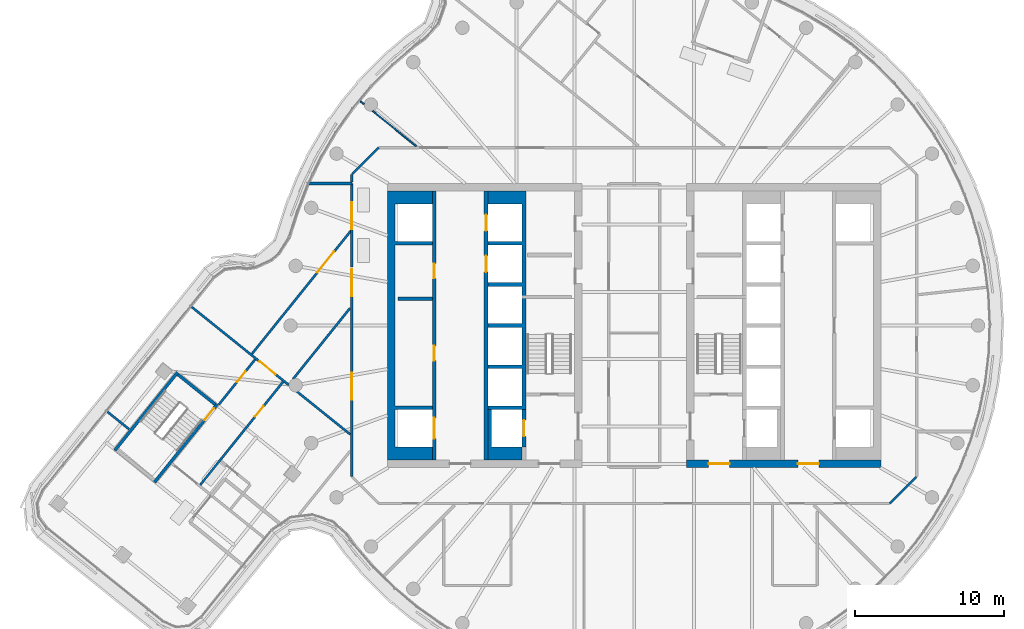
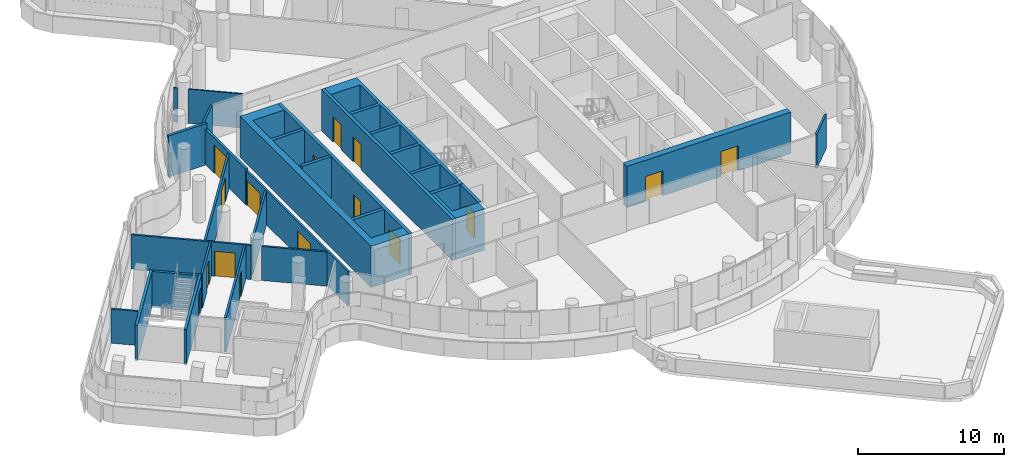
# One storey, part 16 of 25: 26 walls, 16 doors, 16 openings.
"""IFC4 building model written with IfcOpenShell, lengths in metres."""

import ifcopenshell
import ifcopenshell.guid

model = None  # the IFC model being written
_history = None  # IfcOwnerHistory: only IFC2X3 demands one
_inside = {}  # id of a spatial element -> (the spatial element, [elements in it])
_under = {}  # id of a project, library or spatial element -> (it, [spatial elements below it])
_declared = {}  # id of a project -> (the project, [libraries it declares])
_typed = {}  # id of a type object -> (the type object, [elements of that type])
_made_of = {}  # id of a material, layer set ... -> (it, [elements and type objects made of it])


def new_model(schema):
    """Start an empty IFC model of exactly this schema.

    Asked for "IFC4X3", IfcOpenShell would pick the latest addendum, in which some entities
    have other attributes; the version numbers below select the first issue.
    IFC2X3 requires an IfcOwnerHistory on every rooted entity: one is made here for all.
    """
    global model, _history
    if schema == "IFC4X3":
        model = ifcopenshell.file(schema_version=(4, 3, 0, 0))
    else:
        model = ifcopenshell.file(schema=schema)
    _inside.clear()
    _under.clear()
    _declared.clear()
    _typed.clear()
    _made_of.clear()
    _history = None
    if model.schema == "IFC2X3":
        org = make("IfcOrganization", Name="unknown")
        user = make(
            "IfcPersonAndOrganization",
            ThePerson=make("IfcPerson", FamilyName="unknown"),
            TheOrganization=org,
        )
        app = make(
            "IfcApplication",
            ApplicationDeveloper=org,
            Version="unknown",
            ApplicationFullName="unknown",
            ApplicationIdentifier="unknown",
        )
        _history = make(
            "IfcOwnerHistory",
            OwningUser=user,
            OwningApplication=app,
            ChangeAction="ADDED",
            CreationDate=0,
        )
    return model


def make(cls, **values):
    """One entity of the class cls with the attributes given. An attribute that is None is left unset."""
    return model.create_entity(
        cls, **{name: value for name, value in values.items() if value is not None}
    )


def rooted(cls, **values):
    """An entity with a GlobalId (a new one), such as an element, a storey or a relation."""
    return make(cls, GlobalId=ifcopenshell.guid.new(), OwnerHistory=_history, **values)


def si_unit(unit_type, name, prefix=None):
    """IfcSIUnit, for example si_unit("LENGTHUNIT", "METRE", prefix="MILLI")."""
    return make("IfcSIUnit", UnitType=unit_type, Prefix=prefix, Name=name)


def assignment(units):
    """IfcUnitAssignment: the units of a project."""
    return None if units is None else make("IfcUnitAssignment", Units=units)


def point(xyz):
    """IfcCartesianPoint."""
    return None if xyz is None else make("IfcCartesianPoint", Coordinates=xyz)


def direction(xyz):
    """IfcDirection."""
    return None if xyz is None else make("IfcDirection", DirectionRatios=xyz)


def frame(location, z_axis=None, x_axis=None):
    """IfcAxis2Placement3D, a coordinate frame: its origin and axes. An axis left out is left unset."""
    return make(
        "IfcAxis2Placement3D",
        Location=point(location),
        Axis=direction(z_axis),
        RefDirection=direction(x_axis),
    )


def frame_2d(location, x_axis=None):
    """IfcAxis2Placement2D, a coordinate frame in the plane: its origin and x axis."""
    return make(
        "IfcAxis2Placement2D", Location=point(location), RefDirection=direction(x_axis)
    )


def origin():
    """The frame at (0, 0, 0) with its axes left unset."""
    return frame((0.0, 0.0, 0.0))


def place(relative_to, where):
    """IfcLocalPlacement: puts the frame where relative to a parent placement (None: the world)."""
    return make(
        "IfcLocalPlacement", PlacementRelTo=relative_to, RelativePlacement=where
    )


def context(
    kind, dimensions, precision=None, world=None, true_north=None, identifier=None
):
    """IfcGeometricRepresentationContext, for example the 3D "Model" context."""
    return make(
        "IfcGeometricRepresentationContext",
        ContextIdentifier=identifier,
        ContextType=kind,
        CoordinateSpaceDimension=dimensions,
        Precision=precision,
        WorldCoordinateSystem=world,
        TrueNorth=true_north,
    )


def subcontext(parent, identifier, kind, view, scale=None):
    """IfcGeometricRepresentationSubContext, for example "Body" below "Model"."""
    return make(
        "IfcGeometricRepresentationSubContext",
        ContextIdentifier=identifier,
        ContextType=kind,
        ParentContext=parent,
        TargetScale=scale,
        TargetView=view,
    )


def project(units=None, contexts=None):
    """IfcProject with its units and contexts."""
    return rooted(
        "IfcProject",
        Name="project",
        RepresentationContexts=contexts,
        UnitsInContext=assignment(units),
    )


def spatial(cls, under=None, at=None, **own):
    """A site, building, storey or space (cls), placed at a placement, below another one or the project."""
    s = rooted(cls, ObjectPlacement=at, **own)
    if under is not None:
        _under.setdefault(under.id(), (under, []))[1].append(s)
    return s


def polyline(points):
    """IfcPolyline through the points."""
    return make("IfcPolyline", Points=[point(p) for p in points])


def profile(cls, at=None, kind="AREA", **sizes):
    """A parametric profile (cls). Its sizes go by their IFC names, for example OverallWidth=200.0."""
    return make(cls, ProfileType=kind, Position=at, **sizes)


def rectangle(**sizes):
    """IfcRectangleProfileDef."""
    return profile("IfcRectangleProfileDef", **sizes)


def outline(outer, holes=None, kind="AREA"):
    """IfcArbitraryClosedProfileDef: a profile drawn as a closed curve; with holes, ...WithVoids."""
    if holes is None:
        return make("IfcArbitraryClosedProfileDef", ProfileType=kind, OuterCurve=outer)
    return make(
        "IfcArbitraryProfileDefWithVoids",
        ProfileType=kind,
        OuterCurve=outer,
        InnerCurves=holes,
    )


def extrude(swept, where, along, depth):
    """IfcExtrudedAreaSolid: the profile swept, set in the frame where, extruded along a direction by depth."""
    return make(
        "IfcExtrudedAreaSolid",
        SweptArea=swept,
        Position=where,
        ExtrudedDirection=direction(along),
        Depth=depth,
    )


def shape(context_of_items, identifier, shape_type, items):
    """IfcShapeRepresentation: the items that make up one representation, for example the "Body"."""
    return make(
        "IfcShapeRepresentation",
        ContextOfItems=context_of_items,
        RepresentationIdentifier=identifier,
        RepresentationType=shape_type,
        Items=items,
    )


def material(Name=None, Category=None):
    """IfcMaterial."""
    return make("IfcMaterial", Name=Name, Category=Category)


def layer(
    of_material, thickness, ventilated=None, Name=None, Category=None, Priority=None
):
    """IfcMaterialLayer: one layer of a wall or slab, of a material (None: an air gap)."""
    return make(
        "IfcMaterialLayer",
        Material=of_material,
        LayerThickness=thickness,
        IsVentilated=ventilated,
        Name=Name,
        Category=Category,
        Priority=Priority,
    )


def layer_set(layers, Name=None):
    """IfcMaterialLayerSet."""
    return make("IfcMaterialLayerSet", MaterialLayers=layers, LayerSetName=Name)


def made_of(thing, what):
    """Note that an element or type object is made of a material, layer set ...; save() writes the relation."""
    if what is not None:
        _made_of.setdefault(what.id(), (what, []))[1].append(thing)
    return thing


def type_object(cls, material=None, **own):
    """A type object (cls), such as IfcWallType, which elements share."""
    return made_of(rooted(cls, **own), material)


def element(
    cls,
    number,
    at=None,
    inside=None,
    cuts=None,
    type_object=None,
    material=None,
    context=None,
    identifier="Body",
    shape_type=None,
    held_by="IfcProductDefinitionShape",
    body=None,
    shapes=None,
    **own,
):
    """One element of the class cls, such as IfcWall. Its Tag is "e" and its number.

    at: its placement. inside: the storey or other place that contains it. cuts: it is an
    opening in that element (IfcRelVoidsElement). A single representation is given by context,
    identifier, shape_type and body (its items); several are given by shapes. held_by: the class
    of the entity that holds the representations. save() writes the other relations.
    """
    e = rooted(cls, Tag="e%d" % number, ObjectPlacement=at, **own)
    if body is not None:
        shapes = [shape(context, identifier, shape_type, body)]
    if shapes is not None:
        e.Representation = make(held_by, Representations=shapes)
    if inside is not None:
        _inside.setdefault(inside.id(), (inside, []))[1].append(e)
    if cuts is not None:
        rooted(
            "IfcRelVoidsElement", RelatingBuildingElement=cuts, RelatedOpeningElement=e
        )
    if type_object is not None:
        _typed.setdefault(type_object.id(), (type_object, []))[1].append(e)
    return made_of(e, material)


def fill(opening, filler):
    """IfcRelFillsElement: the door or window that sits in an opening."""
    return rooted(
        "IfcRelFillsElement",
        RelatingOpeningElement=opening,
        RelatedBuildingElement=filler,
    )


def aggregate(whole, parts):
    """IfcRelAggregates: a whole, such as a stair, and the parts it consists of."""
    return rooted("IfcRelAggregates", RelatingObject=whole, RelatedObjects=parts)


def save(model, path):
    """Write the relations noted so far, then the file.

    IfcRelAggregates (storeys below a building ...), IfcRelContainedInSpatialStructure (elements
    in a storey), IfcRelDefinesByType, IfcRelAssociatesMaterial and IfcRelDeclares: one each for
    every whole, place, type object, material and project.
    """
    for whole, parts in _under.values():
        aggregate(whole, parts)
    for where, things in _inside.values():
        rooted(
            "IfcRelContainedInSpatialStructure",
            RelatedElements=things,
            RelatingStructure=where,
        )
    for kind, things in _typed.values():
        rooted("IfcRelDefinesByType", RelatedObjects=things, RelatingType=kind)
    for what, things in _made_of.values():
        rooted("IfcRelAssociatesMaterial", RelatedObjects=things, RelatingMaterial=what)
    for by, libraries in _declared.values():
        rooted("IfcRelDeclares", RelatingContext=by, RelatedDefinitions=libraries)
    model.write(path)


model = new_model("IFC4")

# Units and contexts
model_context = context("Model", 3, precision=1e-05, world=origin(), true_north=direction((0.0, 1.0)))
body_context = subcontext(model_context, "Body", "Model", "MODEL_VIEW")
ifc_project = project(units=[si_unit("LENGTHUNIT", "METRE"), si_unit("AREAUNIT", "SQUARE_METRE"), si_unit("VOLUMEUNIT", "CUBIC_METRE"), si_unit("PLANEANGLEUNIT", "RADIAN"), si_unit("MASSUNIT", "GRAM", prefix="KILO")], contexts=[model_context])

# Site, building, storey
site_placement = place(None, origin())
site = spatial("IfcSite", under=ifc_project, at=site_placement, CompositionType="ELEMENT")
building_placement = place(site_placement, origin())
building = spatial("IfcBuilding", under=site, at=building_placement, Name="Tamarind Cross Interchange Tower", CompositionType="ELEMENT")
storey_placement = place(building_placement, frame((0.0, 0.0, 219.89990234375)))
storey = spatial("IfcBuildingStorey", under=building, at=storey_placement, Name="L55", CompositionType="ELEMENT", Elevation=219.89990234375)

# Wall, opening, door
ifc_material_1 = material(Name="Concrete C40", Category="concrete")
ifc_layer_1 = layer(ifc_material_1, 0.199951171875)
ifc_layer_set_1 = layer_set([ifc_layer_1], Name="Concrete C40")
wall_type_1 = type_object("IfcWallType", Name="Balcony and garden door wall", PredefinedType="SOLIDWALL", material=ifc_layer_set_1)
wall_1_placement = place(storey_placement, frame((-18.89990234375, 9.5, 0.0), z_axis=(0.0, 0.0, 1.0), x_axis=(0.0, -1.0, 0.0)))
wall_1 = element("IfcWall", 1, at=wall_1_placement, inside=storey, type_object=wall_type_1, Name="EXW-L55-WG-L55-NW", PredefinedType="SOLIDWALL", context=body_context, shape_type="SweptSolid", body=[
    extrude(rectangle(XDim=5.5791015625, YDim=0.199951171875, at=frame_2d((2.78955078125, 0.0))), origin(), (0.0, 0.0, 1.0), 2.964111328125),
])
opening_1_placement = place(wall_1_placement, frame((1.25, 0.0, 0.0)))
opening_1 = element("IfcOpeningElement", 2, at=opening_1_placement, cuts=wall_1, Name="Opening D6", PredefinedType="OPENING", context=body_context, shape_type="SweptSolid", body=[
    extrude(rectangle(XDim=1.800048828125, YDim=2.39990234375, at=frame_2d((0.89990234375, 1.199951171875))), frame((0.0, 0.10986328125, 0.0), z_axis=(0.0, -1.0, 0.0), x_axis=(1.0, 0.0, 0.0)), (0.0, 0.0, 1.0), 0.219970703125),
])
ifc_material_2 = material(Name="Aluminium and toughened glass, fire-resisting", Category="aluminium")
door_type_1 = type_object("IfcDoorType", Name="Roof garden door, fire-resisting", OperationType="DOUBLE_DOOR_SINGLE_SWING", PredefinedType="DOOR", material=ifc_material_2)
door_1_placement = place(opening_1_placement, origin())
door_1 = element("IfcDoor", 3, at=door_1_placement, inside=storey, type_object=door_type_1, Name="DOR-L55-WG-L55-NW", OperationType="SINGLE_SWING_LEFT", OverallHeight=2.39990234375, OverallWidth=1.800048828125, PredefinedType="DOOR", context=body_context, shape_type="SweptSolid", body=[
    extrude(rectangle(XDim=1.800048828125, YDim=2.39990234375, at=frame_2d((0.89990234375, 1.199951171875))), frame((0.0, 0.02490234375, 0.0), z_axis=(0.0, -1.0, 0.0), x_axis=(1.0, 0.0, 0.0)), (0.0, 0.0, 1.0), 0.050048828125),
])
fill(opening_1, door_1)

# Walls
wall_2_placement = place(storey_placement, frame((-18.89990234375, 9.5, 0.0), z_axis=(0.0, 0.0, 1.0), x_axis=(-1.0, 0.0, 0.0)))
element("IfcWall", 4, at=wall_2_placement, inside=storey, type_object=wall_type_1, Name="EXW-L55-WG-L55-NW-R0", PredefinedType="SOLIDWALL", context=body_context, shape_type="SweptSolid", body=[
    extrude(rectangle(XDim=3.033447265625, YDim=0.199951171875, at=frame_2d((1.5166015625, 0.0))), origin(), (0.0, 0.0, 1.0), 3.460205078125),
])
ifc_material_3 = material(Name="Concrete C50", Category="concrete")
ifc_layer_2 = layer(ifc_material_3, 0.5)
ifc_layer_set_2 = layer_set([ifc_layer_2], Name="Concrete C50")
wall_type_2 = type_object("IfcWallType", Name="Core wall 500 mm Concrete C50", PredefinedType="SHEAR", material=ifc_layer_set_2)
wall_3_placement = place(storey_placement, origin())
element("IfcWall", 5, at=wall_3_placement, inside=storey, type_object=wall_type_2, Name="Core wall CWL-L55-W-A", PredefinedType="SHEAR", context=body_context, shape_type="SweptSolid", body=[
    extrude(outline(polyline([(-13.5, -8.125), (-16.0, -8.125), (-16.0, -5.625), (-13.5, -5.625), (-13.5, -5.375), (-16.0, -5.375), (-16.0, 5.375), (-13.5, 5.375), (-13.5, 5.625), (-16.0, 5.625), (-16.0, 8.125), (-13.5, 8.125), (-13.5, 9.0), (-16.0, 9.0), (-16.5, 9.0), (-16.5, -9.0), (-16.0, -9.0), (-13.5, -9.0), (-13.5, -8.125)])), origin(), (0.0, 0.0, 1.0), 3.460205078125),
])

# Wall, openings, doors
wall_4_placement = place(storey_placement, frame((16.5, -9.25, 0.0), z_axis=(0.0, 0.0, 1.0), x_axis=(-1.0, 0.0, 0.0)))
wall_4 = element("IfcWall", 6, at=wall_4_placement, inside=storey, type_object=wall_type_2, Name="Core wall CWL-L55-E-S", PredefinedType="SHEAR", context=body_context, shape_type="SweptSolid", body=[
    extrude(rectangle(XDim=13.0, YDim=0.5, at=frame_2d((6.5, 0.0))), origin(), (0.0, 0.0, 1.0), 3.460205078125),
])
opening_2_placement = place(wall_4_placement, frame((4.14990234375, 0.0, 0.0)))
opening_2 = element("IfcOpeningElement", 7, at=opening_2_placement, cuts=wall_4, Name="Opening DCE1", PredefinedType="OPENING", context=body_context, shape_type="SweptSolid", body=[
    extrude(rectangle(XDim=1.39990234375, YDim=2.10009765625, at=frame_2d((0.699951171875, 1.050048828125))), frame((0.0, 0.260009765625, 0.0), z_axis=(0.0, -1.0, 0.0), x_axis=(1.0, 0.0, 0.0)), (0.0, 0.0, 1.0), 0.52001953125),
])
opening_3_placement = place(wall_4_placement, frame((10.125, 0.0, 0.0)))
opening_3 = element("IfcOpeningElement", 8, at=opening_3_placement, cuts=wall_4, Name="Opening DCEF", PredefinedType="OPENING", context=body_context, shape_type="SweptSolid", body=[
    extrude(rectangle(XDim=1.39990234375, YDim=2.10009765625, at=frame_2d((0.699951171875, 1.050048828125))), frame((0.0, 0.260009765625, 0.0), z_axis=(0.0, -1.0, 0.0), x_axis=(1.0, 0.0, 0.0)), (0.0, 0.0, 1.0), 0.52001953125),
])
ifc_material_4 = material(Name="Steel, fire-resisting", Category="steel")
door_type_2 = type_object("IfcDoorType", Name="Core fire door 1400 x 2100 FD90", OperationType="SINGLE_SWING_LEFT", PredefinedType="DOOR", material=ifc_material_4)
door_2_placement = place(opening_2_placement, origin())
door_2 = element("IfcDoor", 9, at=door_2_placement, inside=storey, type_object=door_type_2, Name="L55 lift lobby door", OperationType="SINGLE_SWING_LEFT", OverallHeight=2.10009765625, OverallWidth=1.39990234375, PredefinedType="DOOR", context=body_context, shape_type="SweptSolid", body=[
    extrude(rectangle(XDim=1.39990234375, YDim=2.10009765625, at=frame_2d((0.699951171875, 1.050048828125))), frame((0.0, 0.02490234375, 0.0), z_axis=(0.0, -1.0, 0.0), x_axis=(1.0, 0.0, 0.0)), (0.0, 0.0, 1.0), 0.050048828125),
])
fill(opening_2, door_2)
door_3_placement = place(opening_3_placement, origin())
door_3 = element("IfcDoor", 10, at=door_3_placement, inside=storey, type_object=door_type_2, Name="L55 firefighting lobby end door", OperationType="SINGLE_SWING_LEFT", OverallHeight=2.10009765625, OverallWidth=1.39990234375, PredefinedType="DOOR", context=body_context, shape_type="SweptSolid", body=[
    extrude(rectangle(XDim=1.39990234375, YDim=2.10009765625, at=frame_2d((0.699951171875, 1.050048828125))), frame((0.0, 0.02490234375, 0.0), z_axis=(0.0, -1.0, 0.0), x_axis=(1.0, 0.0, 0.0)), (0.0, 0.0, 1.0), 0.050048828125),
])
fill(opening_3, door_3)

# Walls
ifc_layer_3 = layer(ifc_material_3, 0.25)
ifc_layer_set_3 = layer_set([ifc_layer_3], Name="Concrete C50")
wall_type_3 = type_object("IfcWallType", Name="Core web wall 250 mm Concrete C50", PredefinedType="SHEAR", material=ifc_layer_set_3)
wall_5_placement = place(storey_placement, origin())
element("IfcWall", 11, at=wall_5_placement, inside=storey, type_object=wall_type_3, Name="Core wall CWL-L55-W-BN", PredefinedType="SHEAR", context=body_context, shape_type="SweptSolid", body=[
    extrude(outline(polyline([(-9.800048828125, -5.375), (-9.800048828125, -5.625), (-7.5, -5.625), (-7.25, -5.625), (-7.25, 9.0), (-7.5, 9.0), (-9.800048828125, 9.0), (-9.800048828125, 8.125), (-7.5, 8.125), (-7.5, 5.625), (-9.800048828125, 5.625), (-9.800048828125, 5.375), (-7.5, 5.375), (-7.5, 2.875), (-9.800048828125, 2.875), (-9.800048828125, 2.625), (-7.5, 2.625), (-7.5, 0.125), (-9.800048828125, 0.125), (-9.800048828125, -0.125), (-7.5, -0.125), (-7.5, -2.625), (-9.800048828125, -2.625), (-9.800048828125, -2.875), (-7.5, -2.875), (-7.5, -5.375), (-9.800048828125, -5.375)])), origin(), (0.0, 0.0, 1.0), 3.460205078125),
])
wall_6_placement = place(storey_placement, origin())
element("IfcWall", 12, at=wall_6_placement, inside=storey, type_object=wall_type_3, Name="Core wall CWL-L55-W-BS", PredefinedType="SHEAR", context=body_context, shape_type="SweptSolid", body=[
    extrude(outline(polyline([(-7.5, -8.125), (-9.550048828125, -8.125), (-9.550048828125, -5.625), (-9.800048828125, -5.625), (-9.800048828125, -8.125), (-9.800048828125, -9.0), (-7.5, -9.0), (-7.5, -8.125)])), origin(), (0.0, 0.0, 1.0), 3.460205078125),
])

# Wall, openings, doors
wall_7_placement = place(storey_placement, frame((-13.375, -9.0, 0.0), z_axis=(0.0, 0.0, 1.0), x_axis=(0.0, 1.0, 0.0)))
wall_7 = element("IfcWall", 13, at=wall_7_placement, inside=storey, type_object=wall_type_3, Name="Core wall CWL-L55-W-LA", PredefinedType="SHEAR", context=body_context, shape_type="SweptSolid", body=[
    extrude(rectangle(XDim=18.0, YDim=0.25, at=frame_2d((9.0, 0.0))), origin(), (0.0, 0.0, 1.0), 3.460205078125),
])
opening_4_placement = place(wall_7_placement, frame((1.425048828125, 0.0, 0.0)))
opening_4 = element("IfcOpeningElement", 14, at=opening_4_placement, cuts=wall_7, Name="Opening LD1L55", PredefinedType="OPENING", context=body_context, shape_type="SweptSolid", body=[
    extrude(rectangle(XDim=1.39990234375, YDim=2.10009765625, at=frame_2d((0.699951171875, 1.050048828125))), frame((0.0, 0.135009765625, 0.0), z_axis=(0.0, -1.0, 0.0), x_axis=(1.0, 0.0, 0.0)), (0.0, 0.0, 1.0), 0.27001953125),
])
opening_5_placement = place(wall_7_placement, frame((6.64599609375, 0.0, 0.0)))
opening_5 = element("IfcOpeningElement", 15, at=opening_5_placement, cuts=wall_7, Name="Opening DCW9", PredefinedType="OPENING", context=body_context, shape_type="SweptSolid", body=[
    extrude(rectangle(XDim=1.0, YDim=2.10009765625, at=frame_2d((0.5, 1.050048828125))), frame((0.0, 0.135009765625, 0.0), z_axis=(0.0, -1.0, 0.0), x_axis=(1.0, 0.0, 0.0)), (0.0, 0.0, 1.0), 0.27001953125),
])
opening_6_placement = place(wall_7_placement, frame((12.14599609375, 0.0, 0.0)))
opening_6 = element("IfcOpeningElement", 16, at=opening_6_placement, cuts=wall_7, Name="Opening DCW10", PredefinedType="OPENING", context=body_context, shape_type="SweptSolid", body=[
    extrude(rectangle(XDim=1.0, YDim=2.10009765625, at=frame_2d((0.5, 1.050048828125))), frame((0.0, 0.135009765625, 0.0), z_axis=(0.0, -1.0, 0.0), x_axis=(1.0, 0.0, 0.0)), (0.0, 0.0, 1.0), 0.27001953125),
])
door_type_3 = type_object("IfcDoorType", Name="Core fire door 1000 x 2100 FD90", OperationType="SINGLE_SWING_LEFT", PredefinedType="DOOR", material=ifc_material_4)
door_4_placement = place(opening_5_placement, origin())
door_4 = element("IfcDoor", 17, at=door_4_placement, inside=storey, type_object=door_type_3, Name="L55 Guest laundry door", OperationType="SINGLE_SWING_LEFT", OverallHeight=2.10009765625, OverallWidth=1.0, PredefinedType="DOOR", context=body_context, shape_type="SweptSolid", body=[
    extrude(rectangle(XDim=1.0, YDim=2.10009765625, at=frame_2d((0.5, 1.050048828125))), frame((0.0, 0.02490234375, 0.0), z_axis=(0.0, -1.0, 0.0), x_axis=(1.0, 0.0, 0.0)), (0.0, 0.0, 1.0), 0.050048828125),
])
fill(opening_5, door_4)
door_5_placement = place(opening_6_placement, origin())
door_5 = element("IfcDoor", 18, at=door_5_placement, inside=storey, type_object=door_type_3, Name="L55 Housekeeping pantry door", OperationType="SINGLE_SWING_LEFT", OverallHeight=2.10009765625, OverallWidth=1.0, PredefinedType="DOOR", context=body_context, shape_type="SweptSolid", body=[
    extrude(rectangle(XDim=1.0, YDim=2.10009765625, at=frame_2d((0.5, 1.050048828125))), frame((0.0, 0.02490234375, 0.0), z_axis=(0.0, -1.0, 0.0), x_axis=(1.0, 0.0, 0.0)), (0.0, 0.0, 1.0), 0.050048828125),
])
fill(opening_6, door_5)
ifc_material_5 = material(Name="Stainless steel panel", Category="steel")
door_type_4 = type_object("IfcDoorType", Name="Lift landing door 1400 x 2100 E 120", OperationType="SLIDING_TO_LEFT", PredefinedType="DOOR", material=ifc_material_5)
door_6_placement = place(opening_4_placement, origin())
door_6 = element("IfcDoor", 19, at=door_6_placement, inside=storey, type_object=door_type_4, Name="L55 landing door LF1", OperationType="SLIDING_TO_LEFT", OverallHeight=2.10009765625, OverallWidth=1.39990234375, PredefinedType="DOOR", context=body_context, shape_type="SweptSolid", body=[
    extrude(rectangle(XDim=1.39990234375, YDim=2.10009765625, at=frame_2d((0.699951171875, 1.050048828125))), frame((0.0, 0.02490234375, 0.0), z_axis=(0.0, -1.0, 0.0), x_axis=(1.0, 0.0, 0.0)), (0.0, 0.0, 1.0), 0.050048828125),
])
fill(opening_4, door_6)

wall_8_placement = place(storey_placement, frame((-9.925048828125, -9.0, 0.0), z_axis=(0.0, 0.0, 1.0), x_axis=(0.0, 1.0, 0.0)))
wall_8 = element("IfcWall", 20, at=wall_8_placement, inside=storey, type_object=wall_type_3, Name="Core wall CWL-L55-W-LB", PredefinedType="SHEAR", context=body_context, shape_type="SweptSolid", body=[
    extrude(rectangle(XDim=18.0, YDim=0.25, at=frame_2d((9.0, 0.0))), origin(), (0.0, 0.0, 1.0), 3.460205078125),
])
opening_7_placement = place(wall_8_placement, frame((12.574951171875, 0.0, 0.0)))
opening_7 = element("IfcOpeningElement", 21, at=opening_7_placement, cuts=wall_8, Name="Opening LD11L55", PredefinedType="OPENING", context=body_context, shape_type="SweptSolid", body=[
    extrude(rectangle(XDim=1.10009765625, YDim=2.10009765625, at=frame_2d((0.550048828125, 1.050048828125))), frame((0.0, 0.135009765625, 0.0), z_axis=(0.0, -1.0, 0.0), x_axis=(1.0, 0.0, 0.0)), (0.0, 0.0, 1.0), 0.27001953125),
])
opening_8_placement = place(wall_8_placement, frame((15.324951171875, 0.0, 0.0)))
opening_8 = element("IfcOpeningElement", 22, at=opening_8_placement, cuts=wall_8, Name="Opening LD12L55", PredefinedType="OPENING", context=body_context, shape_type="SweptSolid", body=[
    extrude(rectangle(XDim=1.10009765625, YDim=2.10009765625, at=frame_2d((0.550048828125, 1.050048828125))), frame((0.0, 0.135009765625, 0.0), z_axis=(0.0, -1.0, 0.0), x_axis=(1.0, 0.0, 0.0)), (0.0, 0.0, 1.0), 0.27001953125),
])
door_type_5 = type_object("IfcDoorType", Name="Lift landing door 1100 x 2100 E 120", OperationType="SLIDING_TO_LEFT", PredefinedType="DOOR", material=ifc_material_5)
door_7_placement = place(opening_7_placement, origin())
door_7 = element("IfcDoor", 23, at=door_7_placement, inside=storey, type_object=door_type_5, Name="L55 landing door LF11", OperationType="SLIDING_TO_LEFT", OverallHeight=2.10009765625, OverallWidth=1.10009765625, PredefinedType="DOOR", context=body_context, shape_type="SweptSolid", body=[
    extrude(rectangle(XDim=1.10009765625, YDim=2.10009765625, at=frame_2d((0.550048828125, 1.050048828125))), frame((0.0, 0.02490234375, 0.0), z_axis=(0.0, -1.0, 0.0), x_axis=(1.0, 0.0, 0.0)), (0.0, 0.0, 1.0), 0.050048828125),
])
fill(opening_7, door_7)
door_8_placement = place(opening_8_placement, origin())
door_8 = element("IfcDoor", 24, at=door_8_placement, inside=storey, type_object=door_type_5, Name="L55 landing door LF12", OperationType="SLIDING_TO_LEFT", OverallHeight=2.10009765625, OverallWidth=1.10009765625, PredefinedType="DOOR", context=body_context, shape_type="SweptSolid", body=[
    extrude(rectangle(XDim=1.10009765625, YDim=2.10009765625, at=frame_2d((0.550048828125, 1.050048828125))), frame((0.0, 0.02490234375, 0.0), z_axis=(0.0, -1.0, 0.0), x_axis=(1.0, 0.0, 0.0)), (0.0, 0.0, 1.0), 0.050048828125),
])
fill(opening_8, door_8)

# Wall, opening, door
wall_9_placement = place(storey_placement, frame((-7.375, -8.125, 0.0), z_axis=(0.0, 0.0, 1.0), x_axis=(0.0, 1.0, 0.0)))
wall_9 = element("IfcWall", 25, at=wall_9_placement, inside=storey, type_object=wall_type_3, Name="Core wall CWL-L55-W-FF", PredefinedType="SHEAR", context=body_context, shape_type="SweptSolid", body=[
    extrude(rectangle(XDim=2.5, YDim=0.25, at=frame_2d((1.25, 0.0))), origin(), (0.0, 0.0, 1.0), 3.460205078125),
])
opening_9_placement = place(wall_9_placement, frame((0.699951171875, 0.0, 0.0)))
opening_9 = element("IfcOpeningElement", 26, at=opening_9_placement, cuts=wall_9, Name="Opening LD7L55", PredefinedType="OPENING", context=body_context, shape_type="SweptSolid", body=[
    extrude(rectangle(XDim=1.10009765625, YDim=2.10009765625, at=frame_2d((0.550048828125, 1.050048828125))), frame((0.0, 0.135009765625, 0.0), z_axis=(0.0, -1.0, 0.0), x_axis=(1.0, 0.0, 0.0)), (0.0, 0.0, 1.0), 0.27001953125),
])
door_9_placement = place(opening_9_placement, origin())
door_9 = element("IfcDoor", 27, at=door_9_placement, inside=storey, type_object=door_type_5, Name="L55 landing door LF7", OperationType="SLIDING_TO_LEFT", OverallHeight=2.10009765625, OverallWidth=1.10009765625, PredefinedType="DOOR", context=body_context, shape_type="SweptSolid", body=[
    extrude(rectangle(XDim=1.10009765625, YDim=2.10009765625, at=frame_2d((0.550048828125, 1.050048828125))), frame((0.0, 0.02490234375, 0.0), z_axis=(0.0, -1.0, 0.0), x_axis=(1.0, 0.0, 0.0)), (0.0, 0.0, 1.0), 0.050048828125),
])
fill(opening_9, door_9)

# Walls
ifc_material_6 = material(Name="Gypsum board partition on steel studs", Category="steel")
ifc_layer_4 = layer(ifc_material_6, 0.10009765625)
ifc_layer_set_4 = layer_set([ifc_layer_4], Name="Gypsum board partition on steel studs")
wall_type_4 = type_object("IfcWallType", Name="Partition 100 mm EI 120", PredefinedType="PARTITIONING", material=ifc_layer_set_4)
wall_10_placement = place(storey_placement, frame((-17.509033203125, 14.353515625, 0.0), z_axis=(0.0, 0.0, 1.0), x_axis=(0.779411679893, -0.626512117398, 0.0)))
element("IfcWall", 28, at=wall_10_placement, inside=storey, type_object=wall_type_4, Name="Partition L55-010", PredefinedType="PARTITIONING", context=body_context, shape_type="SweptSolid", body=[
    extrude(rectangle(XDim=3.76513671875, YDim=0.10009765625, at=frame_2d((1.882568359375, 0.0))), origin(), (0.0, 0.0, 1.0), 2.864013671875),
])
ifc_layer_5 = layer(ifc_material_6, 0.10009765625)
ifc_layer_set_5 = layer_set([ifc_layer_5], Name="Gypsum board partition on steel studs")
wall_type_5 = type_object("IfcWallType", Name="Partition 100 mm EI 90", PredefinedType="PARTITIONING", material=ifc_layer_set_5)
wall_11_placement = place(storey_placement, frame((-18.31640625, 15.00244140625, 0.0), z_axis=(0.0, 0.0, 1.0), x_axis=(0.779570290479, -0.626314746914, 0.0)))
element("IfcWall", 29, at=wall_11_placement, inside=storey, type_object=wall_type_5, Name="Partition L55-009", PredefinedType="PARTITIONING", context=body_context, shape_type="SweptSolid", body=[
    extrude(rectangle(XDim=0.312255859375, YDim=0.10009765625, at=frame_2d((0.15625, 0.0))), origin(), (0.0, 0.0, 1.0), 2.864013671875),
])
ifc_layer_6 = layer(ifc_material_6, 0.14990234375)
ifc_layer_set_6 = layer_set([ifc_layer_6], Name="Gypsum board partition on steel studs")
wall_type_6 = type_object("IfcWallType", Name="Partition 150 mm EI 120", PredefinedType="PARTITIONING", material=ifc_layer_set_6)
wall_12_placement = place(storey_placement, frame((-35.241943359375, -5.77685546875, 0.0), z_axis=(0.0, 0.0, 1.0), x_axis=(0.779380699449, -0.626550656632, 0.0)))
element("IfcWall", 30, at=wall_12_placement, inside=storey, type_object=wall_type_6, Name="Partition L55-004", PredefinedType="PARTITIONING", context=body_context, shape_type="SweptSolid", body=[
    extrude(rectangle(XDim=1.859375, YDim=0.14990234375, at=frame_2d((0.9296875, 0.0))), origin(), (0.0, 0.0, 1.0), 2.864013671875),
])

# Wall, opening, door
wall_13_placement = place(storey_placement, frame((-29.60205078125, 1.236328125, 0.0), z_axis=(0.0, 0.0, 1.0), x_axis=(0.779408775424, -0.626515730681, 0.0)))
wall_13 = element("IfcWall", 31, at=wall_13_placement, inside=storey, type_object=wall_type_6, Name="Partition L55-006", PredefinedType="PARTITIONING", context=body_context, shape_type="SweptSolid", body=[
    extrude(rectangle(XDim=8.33203125, YDim=0.14990234375, at=frame_2d((4.166015625, 0.0))), origin(), (0.0, 0.0, 1.0), 2.864013671875),
])
opening_10_placement = place(wall_13_placement, frame((5.79931640625, 0.0, 0.0)))
opening_10 = element("IfcOpeningElement", 32, at=opening_10_placement, cuts=wall_13, Name="Opening D02", PredefinedType="OPENING", context=body_context, shape_type="SweptSolid", body=[
    extrude(rectangle(XDim=1.39990234375, YDim=2.10009765625, at=frame_2d((0.699951171875, 1.050048828125))), frame((0.0, 0.0849609375, 0.0), z_axis=(0.0, -1.0, 0.0), x_axis=(1.0, 0.0, 0.0)), (0.0, 0.0, 1.0), 0.169921875),
])
ifc_material_7 = material(Name="Fire-resisting door set")
door_type_6 = type_object("IfcDoorType", Name="Interior door 1400 x 2100 FD60S", OperationType="DOUBLE_DOOR_SINGLE_SWING", PredefinedType="DOOR", material=ifc_material_7)
door_10_placement = place(opening_10_placement, origin())
door_10 = element("IfcDoor", 33, at=door_10_placement, inside=storey, type_object=door_type_6, Name="Door D02", OperationType="DOUBLE_DOOR_SINGLE_SWING", OverallHeight=2.10009765625, OverallWidth=1.39990234375, PredefinedType="DOOR", context=body_context, shape_type="SweptSolid", body=[
    extrude(rectangle(XDim=1.39990234375, YDim=2.10009765625, at=frame_2d((0.699951171875, 1.050048828125))), frame((0.0, 0.02490234375, 0.0), z_axis=(0.0, -1.0, 0.0), x_axis=(1.0, 0.0, 0.0)), (0.0, 0.0, 1.0), 0.050048828125),
])
fill(opening_10, door_10)

# Walls
wall_14_placement = place(storey_placement, frame((-22.55517578125, -4.42822265625, 0.0), z_axis=(0.0, 0.0, 1.0), x_axis=(0.779423896045, -0.626496919604, 0.0)))
element("IfcWall", 34, at=wall_14_placement, inside=storey, type_object=wall_type_6, Name="Partition L55-007", PredefinedType="PARTITIONING", context=body_context, shape_type="SweptSolid", body=[
    extrude(rectangle(XDim=4.556396484375, YDim=0.14990234375, at=frame_2d((2.2783203125, 0.0))), origin(), (0.0, 0.0, 1.0), 2.864013671875),
])
for number, where, z_axis, x_axis, name in (
    (35, (-18.87158203125, 10.12841796875, 0.0), (0.0, 0.0, 1.0), (0.707106781187, 0.707106781187, 0.0), "Partition L55-031"),
    (36, (17.10009765625, -11.89990234375, 0.0), (0.0, 0.0, 1.0), (0.707106781187, 0.707106781187, 0.0), "Partition L55-033"),
):
    element("IfcWall", number, at=place(storey_placement, frame(where, z_axis=z_axis, x_axis=x_axis)), inside=storey, type_object=wall_type_6, Name=name, PredefinedType="PARTITIONING", context=body_context, shape_type="SweptSolid", body=[
        extrude(rectangle(XDim=2.50537109375, YDim=0.14990234375, at=frame_2d((1.252685546875, 0.0))), origin(), (0.0, 0.0, 1.0), 2.864013671875),
    ])

# Wall, opening, door
wall_15_placement = place(storey_placement, frame((-29.035888671875, -10.66455078125, 0.0), z_axis=(0.0, 0.0, 1.0), x_axis=(0.626350653384, 0.779541441493, 0.0)))
wall_15 = element("IfcWall", 37, at=wall_15_placement, inside=storey, type_object=wall_type_6, Name="Partition L55-034", PredefinedType="PARTITIONING", context=body_context, shape_type="SweptSolid", body=[
    extrude(rectangle(XDim=8.84033203125, YDim=0.14990234375, at=frame_2d((4.420166015625, 0.0))), origin(), (0.0, 0.0, 1.0), 2.864013671875),
])
opening_11_placement = place(wall_15_placement, frame((5.8701171875, 0.0, 0.0)))
opening_11 = element("IfcOpeningElement", 38, at=opening_11_placement, cuts=wall_15, Name="Opening D21", PredefinedType="OPENING", context=body_context, shape_type="SweptSolid", body=[
    extrude(rectangle(XDim=0.89990234375, YDim=2.10009765625, at=frame_2d((0.449951171875, 1.050048828125))), frame((0.0, 0.0849609375, 0.0), z_axis=(0.0, -1.0, 0.0), x_axis=(1.0, 0.0, 0.0)), (0.0, 0.0, 1.0), 0.169921875),
])
door_type_7 = type_object("IfcDoorType", Name="Interior door 900 x 2100 FD60S", OperationType="SINGLE_SWING_LEFT", PredefinedType="DOOR", material=ifc_material_7)
door_11_placement = place(opening_11_placement, frame((0.89990234375, 0.0, 0.0), z_axis=(0.0, 0.0, 1.0), x_axis=(-1.0, 0.0, 0.0)))
door_11 = element("IfcDoor", 39, at=door_11_placement, inside=storey, type_object=door_type_7, Name="Door D21", OperationType="SINGLE_SWING_RIGHT", OverallHeight=2.10009765625, OverallWidth=0.89990234375, PredefinedType="DOOR", context=body_context, shape_type="SweptSolid", body=[
    extrude(rectangle(XDim=0.89990234375, YDim=2.10009765625, at=frame_2d((0.449951171875, 1.050048828125))), frame((0.0, 0.02490234375, 0.0), z_axis=(0.0, -1.0, 0.0), x_axis=(1.0, 0.0, 0.0)), (0.0, 0.0, 1.0), 0.050048828125),
])
fill(opening_11, door_11)

wall_16_placement = place(storey_placement, frame((-27.798095703125, -5.29541015625, 0.0), z_axis=(0.0, 0.0, 1.0), x_axis=(0.626664805056, 0.779288920814, 0.0)))
wall_16 = element("IfcWall", 40, at=wall_16_placement, inside=storey, type_object=wall_type_6, Name="Partition L55-035", PredefinedType="PARTITIONING", context=body_context, shape_type="SweptSolid", body=[
    extrude(rectangle(XDim=3.880615234375, YDim=0.14990234375, at=frame_2d((1.9404296875, 0.0))), origin(), (0.0, 0.0, 1.0), 2.864013671875),
])
opening_12_placement = place(wall_16_placement, frame((1.949951171875, 0.0, 0.0)))
opening_12 = element("IfcOpeningElement", 41, at=opening_12_placement, cuts=wall_16, Name="Opening D22", PredefinedType="OPENING", context=body_context, shape_type="SweptSolid", body=[
    extrude(rectangle(XDim=0.89990234375, YDim=2.10009765625, at=frame_2d((0.449951171875, 1.050048828125))), frame((0.0, 0.0849609375, 0.0), z_axis=(0.0, -1.0, 0.0), x_axis=(1.0, 0.0, 0.0)), (0.0, 0.0, 1.0), 0.169921875),
])
door_12_placement = place(opening_12_placement, origin())
door_12 = element("IfcDoor", 42, at=door_12_placement, inside=storey, type_object=door_type_7, Name="Door D22", OperationType="SINGLE_SWING_LEFT", OverallHeight=2.10009765625, OverallWidth=0.89990234375, PredefinedType="DOOR", context=body_context, shape_type="SweptSolid", body=[
    extrude(rectangle(XDim=0.89990234375, YDim=2.10009765625, at=frame_2d((0.449951171875, 1.050048828125))), frame((0.0, 0.02490234375, 0.0), z_axis=(0.0, -1.0, 0.0), x_axis=(1.0, 0.0, 0.0)), (0.0, 0.0, 1.0), 0.050048828125),
])
fill(opening_12, door_12)

wall_17_placement = place(storey_placement, frame((-25.577880859375, -1.896728515625, 0.0), z_axis=(0.0, 0.0, 1.0), x_axis=(0.626651590672, 0.779299546971, 0.0)))
wall_17 = element("IfcWall", 43, at=wall_17_placement, inside=storey, type_object=wall_type_6, Name="Partition L55-037", PredefinedType="PARTITIONING", context=body_context, shape_type="SweptSolid", body=[
    extrude(rectangle(XDim=10.656494140625, YDim=0.14990234375, at=frame_2d((5.328125, 0.0))), origin(), (0.0, 0.0, 1.0), 2.864013671875),
])
opening_13_placement = place(wall_17_placement, frame((6.969970703125, 0.0, 0.0)))
opening_13 = element("IfcOpeningElement", 44, at=opening_13_placement, cuts=wall_17, Name="Opening D23", PredefinedType="OPENING", context=body_context, shape_type="SweptSolid", body=[
    extrude(rectangle(XDim=1.800048828125, YDim=2.10009765625, at=frame_2d((0.89990234375, 1.050048828125))), frame((0.0, 0.0849609375, 0.0), z_axis=(0.0, -1.0, 0.0), x_axis=(1.0, 0.0, 0.0)), (0.0, 0.0, 1.0), 0.169921875),
])
door_type_8 = type_object("IfcDoorType", Name="Interior door 1800 x 2100 FD60S", OperationType="DOUBLE_DOOR_SINGLE_SWING", PredefinedType="DOOR", material=ifc_material_7)
door_13_placement = place(opening_13_placement, origin())
door_13 = element("IfcDoor", 45, at=door_13_placement, inside=storey, type_object=door_type_8, Name="Door D23", OperationType="DOUBLE_DOOR_SINGLE_SWING", OverallHeight=2.10009765625, OverallWidth=1.800048828125, PredefinedType="DOOR", context=body_context, shape_type="SweptSolid", body=[
    extrude(rectangle(XDim=1.800048828125, YDim=2.10009765625, at=frame_2d((0.89990234375, 1.050048828125))), frame((0.0, 0.02490234375, 0.0), z_axis=(0.0, -1.0, 0.0), x_axis=(1.0, 0.0, 0.0)), (0.0, 0.0, 1.0), 0.050048828125),
])
fill(opening_13, door_13)

# Wall
wall_18_placement = place(storey_placement, frame((-22.825927734375, -3.580810546875, 0.0), z_axis=(0.0, 0.0, 1.0), x_axis=(0.626622427276, 0.779322996988, 0.0)))
element("IfcWall", 46, at=wall_18_placement, inside=storey, type_object=wall_type_6, Name="Partition L55-038", PredefinedType="PARTITIONING", context=body_context, shape_type="SweptSolid", body=[
    extrude(rectangle(XDim=6.080322265625, YDim=0.14990234375, at=frame_2d((3.0400390625, 0.0))), origin(), (0.0, 0.0, 1.0), 2.864013671875),
])

# Wall, openings, doors
wall_19_placement = place(storey_placement, frame((-18.89990234375, -10.10009765625, 0.0), z_axis=(0.0, 0.0, 1.0), x_axis=(0.0, 1.0, 0.0)))
wall_19 = element("IfcWall", 47, at=wall_19_placement, inside=storey, type_object=wall_type_6, Name="Partition L55-050", PredefinedType="PARTITIONING", context=body_context, shape_type="SweptSolid", body=[
    extrude(rectangle(XDim=13.921142578125, YDim=0.14990234375, at=frame_2d((6.96044921875, 0.0))), origin(), (0.0, 0.0, 1.0), 2.864013671875),
])
opening_14_placement = place(wall_19_placement, frame((12.071044921875, 0.0, 0.0)))
opening_14 = element("IfcOpeningElement", 48, at=opening_14_placement, cuts=wall_19, Name="Opening D27", PredefinedType="OPENING", context=body_context, shape_type="SweptSolid", body=[
    extrude(rectangle(XDim=1.800048828125, YDim=2.10009765625, at=frame_2d((0.89990234375, 1.050048828125))), frame((0.0, 0.0849609375, 0.0), z_axis=(0.0, -1.0, 0.0), x_axis=(1.0, 0.0, 0.0)), (0.0, 0.0, 1.0), 0.169921875),
])
opening_15_placement = place(wall_19_placement, frame((5.131103515625, 0.0, 0.0)))
opening_15 = element("IfcOpeningElement", 49, at=opening_15_placement, cuts=wall_19, Name="Opening D28", PredefinedType="OPENING", context=body_context, shape_type="SweptSolid", body=[
    extrude(rectangle(XDim=1.800048828125, YDim=2.10009765625, at=frame_2d((0.89990234375, 1.050048828125))), frame((0.0, 0.0849609375, 0.0), z_axis=(0.0, -1.0, 0.0), x_axis=(1.0, 0.0, 0.0)), (0.0, 0.0, 1.0), 0.169921875),
])
door_14_placement = place(opening_14_placement, frame((1.800048828125, 0.0, 0.0), z_axis=(0.0, 0.0, 1.0), x_axis=(-1.0, 0.0, 0.0)))
door_14 = element("IfcDoor", 50, at=door_14_placement, inside=storey, type_object=door_type_8, Name="Door D27", OperationType="DOUBLE_DOOR_SINGLE_SWING", OverallHeight=2.10009765625, OverallWidth=1.800048828125, PredefinedType="DOOR", context=body_context, shape_type="SweptSolid", body=[
    extrude(rectangle(XDim=1.800048828125, YDim=2.10009765625, at=frame_2d((0.89990234375, 1.050048828125))), frame((0.0, 0.02490234375, 0.0), z_axis=(0.0, -1.0, 0.0), x_axis=(1.0, 0.0, 0.0)), (0.0, 0.0, 1.0), 0.050048828125),
])
fill(opening_14, door_14)
door_15_placement = place(opening_15_placement, origin())
door_15 = element("IfcDoor", 51, at=door_15_placement, inside=storey, type_object=door_type_8, Name="Door D28", OperationType="DOUBLE_DOOR_SINGLE_SWING", OverallHeight=2.10009765625, OverallWidth=1.800048828125, PredefinedType="DOOR", context=body_context, shape_type="SweptSolid", body=[
    extrude(rectangle(XDim=1.800048828125, YDim=2.10009765625, at=frame_2d((0.89990234375, 1.050048828125))), frame((0.0, 0.02490234375, 0.0), z_axis=(0.0, -1.0, 0.0), x_axis=(1.0, 0.0, 0.0)), (0.0, 0.0, 1.0), 0.050048828125),
])
fill(opening_15, door_15)

# Walls
wall_20_placement = place(storey_placement, frame((-18.89990234375, 9.60009765625, 0.0), z_axis=(0.0, 0.0, 1.0), x_axis=(0.0, 1.0, 0.0)))
element("IfcWall", 52, at=wall_20_placement, inside=storey, type_object=wall_type_6, Name="Partition L55-051", PredefinedType="PARTITIONING", context=body_context, shape_type="SweptSolid", body=[
    extrude(rectangle(XDim=0.5, YDim=0.14990234375, at=frame_2d((0.25, 0.0))), origin(), (0.0, 0.0, 1.0), 2.864013671875),
])
ifc_layer_7 = layer(ifc_material_1, 0.25)
ifc_layer_set_7 = layer_set([ifc_layer_7], Name="Concrete C40")
wall_type_7 = type_object("IfcWallType", Name="Shaft and lobby wall 250 mm Concrete C40", PredefinedType="PARTITIONING", material=ifc_layer_set_7)
wall_21_placement = place(storey_placement, frame((-15.800048828125, 1.7919921875, 0.0), z_axis=(0.0, 0.0, 1.0), x_axis=(1.0, 0.0, 0.0)))
element("IfcWall", 53, at=wall_21_placement, inside=storey, type_object=wall_type_7, Name="Shaft wall CWL-L55-W-FPA1", PredefinedType="PARTITIONING", context=body_context, shape_type="SweptSolid", body=[
    extrude(rectangle(XDim=2.300048828125, YDim=0.25, at=frame_2d((1.14990234375, 0.0))), origin(), (0.0, 0.0, 1.0), 3.460205078125),
])

# Wall, opening, door
ifc_layer_8 = layer(ifc_material_1, 0.199951171875)
ifc_layer_set_8 = layer_set([ifc_layer_8], Name="Concrete C40")
wall_type_8 = type_object("IfcWallType", Name="Stair shaft wall 200 mm Concrete C40", PredefinedType="SHEAR", material=ifc_layer_set_8)
wall_22_placement = place(storey_placement, frame((-27.901123046875, -5.263916015625, -0.139892578125), z_axis=(0.0, 0.0, 1.0), x_axis=(-0.626674952142, -0.779280760932, 0.0)))
wall_22 = element("IfcWall", 54, at=wall_22_placement, inside=storey, type_object=wall_type_8, Name="Core wall CWL-L55-ST5-H", PredefinedType="SHEAR", context=body_context, shape_type="SweptSolid", body=[
    extrude(rectangle(XDim=6.699951171875, YDim=0.199951171875, at=frame_2d((3.35009765625, 0.0))), origin(), (0.0, 0.0, 1.0), 3.00390625),
])
opening_16_placement = place(wall_22_placement, frame((0.35009765625, 0.0, 0.0)))
opening_16 = element("IfcOpeningElement", 55, at=opening_16_placement, cuts=wall_22, Name="Opening ST5L55", PredefinedType="OPENING", context=body_context, shape_type="SweptSolid", body=[
    extrude(rectangle(XDim=1.0, YDim=2.10009765625, at=frame_2d((0.5, 1.050048828125))), frame((0.0, 0.10986328125, 0.0), z_axis=(0.0, -1.0, 0.0), x_axis=(1.0, 0.0, 0.0)), (0.0, 0.0, 1.0), 0.219970703125),
])
door_16_placement = place(opening_16_placement, origin())
door_16 = element("IfcDoor", 56, at=door_16_placement, inside=storey, type_object=door_type_3, Name="L55 stair door ST5", OperationType="SINGLE_SWING_LEFT", OverallHeight=2.10009765625, OverallWidth=1.0, PredefinedType="DOOR", context=body_context, shape_type="SweptSolid", body=[
    extrude(rectangle(XDim=1.0, YDim=2.10009765625, at=frame_2d((0.5, 1.050048828125))), frame((0.0, 0.02490234375, 0.0), z_axis=(0.0, -1.0, 0.0), x_axis=(1.0, 0.0, 0.0)), (0.0, 0.0, 1.0), 0.050048828125),
])
fill(opening_16, door_16)

# Walls
wall_23_placement = place(storey_placement, frame((-30.55078125, -3.133056640625, -0.139892578125), z_axis=(0.0, 0.0, 1.0), x_axis=(-0.626652822867, -0.779298556134, 0.0)))
element("IfcWall", 57, at=wall_23_placement, inside=storey, type_object=wall_type_8, Name="Core wall CWL-L55-ST5-C", PredefinedType="SHEAR", context=body_context, shape_type="SweptSolid", body=[
    extrude(rectangle(XDim=6.699951171875, YDim=0.199951171875, at=frame_2d((3.35009765625, 0.0))), origin(), (0.0, 0.0, 1.0), 3.00390625),
])
wall_24_placement = place(storey_placement, frame((-30.535400390625, -3.273681640625, -0.139892578125), z_axis=(0.0, 0.0, 1.0), x_axis=(0.779273387841, -0.626684120592, 0.0)))
element("IfcWall", 58, at=wall_24_placement, inside=storey, type_object=wall_type_8, Name="Core wall CWL-L55-ST5-CE", PredefinedType="SHEAR", context=body_context, shape_type="SweptSolid", body=[
    extrude(rectangle(XDim=3.199951171875, YDim=0.199951171875, at=frame_2d((1.60009765625, 0.0))), origin(), (0.0, 0.0, 1.0), 3.00390625),
])

save(model, "model.ifc")
